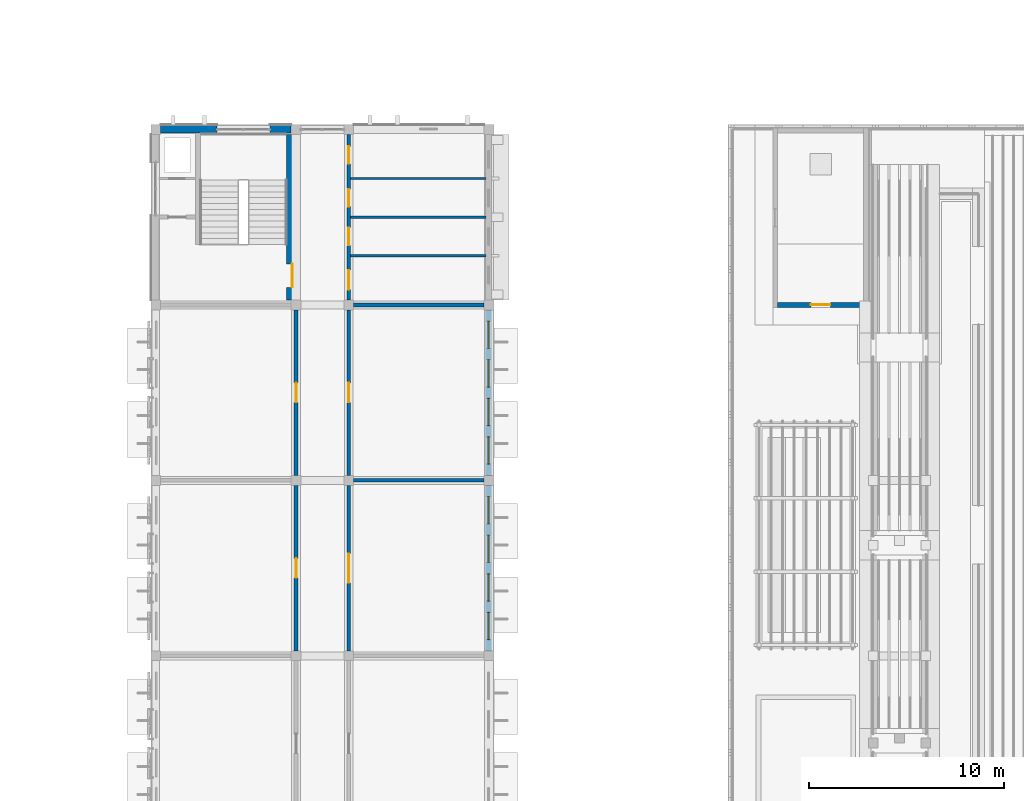
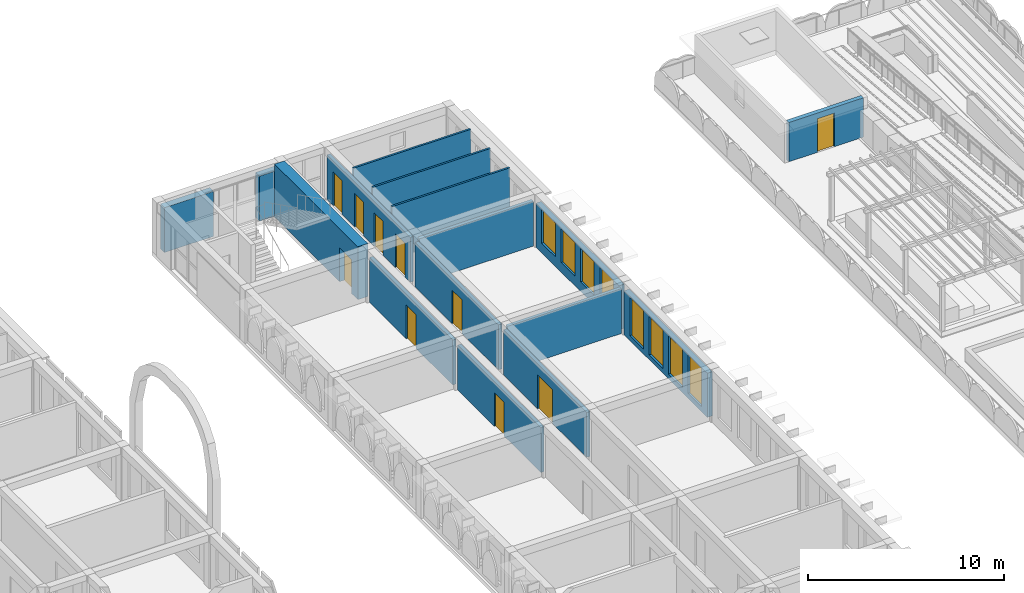
# One storey, part 43 of 65: 16 walls, 10 doors, 8 windows, 18 openings.
"""IFC4 building model written with IfcOpenShell, lengths in metres."""

import ifcopenshell
import ifcopenshell.guid

model = None  # the IFC model being written
_history = None  # IfcOwnerHistory: only IFC2X3 demands one
_inside = {}  # id of a spatial element -> (the spatial element, [elements in it])
_under = {}  # id of a project, library or spatial element -> (it, [spatial elements below it])
_declared = {}  # id of a project -> (the project, [libraries it declares])
_typed = {}  # id of a type object -> (the type object, [elements of that type])
_made_of = {}  # id of a material, layer set ... -> (it, [elements and type objects made of it])


def new_model(schema):
    """Start an empty IFC model of exactly this schema.

    Asked for "IFC4X3", IfcOpenShell would pick the latest addendum, in which some entities
    have other attributes; the version numbers below select the first issue.
    IFC2X3 requires an IfcOwnerHistory on every rooted entity: one is made here for all.
    """
    global model, _history
    if schema == "IFC4X3":
        model = ifcopenshell.file(schema_version=(4, 3, 0, 0))
    else:
        model = ifcopenshell.file(schema=schema)
    _inside.clear()
    _under.clear()
    _declared.clear()
    _typed.clear()
    _made_of.clear()
    _history = None
    if model.schema == "IFC2X3":
        org = make("IfcOrganization", Name="unknown")
        user = make(
            "IfcPersonAndOrganization",
            ThePerson=make("IfcPerson", FamilyName="unknown"),
            TheOrganization=org,
        )
        app = make(
            "IfcApplication",
            ApplicationDeveloper=org,
            Version="unknown",
            ApplicationFullName="unknown",
            ApplicationIdentifier="unknown",
        )
        _history = make(
            "IfcOwnerHistory",
            OwningUser=user,
            OwningApplication=app,
            ChangeAction="ADDED",
            CreationDate=0,
        )
    return model


def make(cls, **values):
    """One entity of the class cls with the attributes given. An attribute that is None is left unset."""
    return model.create_entity(
        cls, **{name: value for name, value in values.items() if value is not None}
    )


def rooted(cls, **values):
    """An entity with a GlobalId (a new one), such as an element, a storey or a relation."""
    return make(cls, GlobalId=ifcopenshell.guid.new(), OwnerHistory=_history, **values)


def si_unit(unit_type, name, prefix=None):
    """IfcSIUnit, for example si_unit("LENGTHUNIT", "METRE", prefix="MILLI")."""
    return make("IfcSIUnit", UnitType=unit_type, Prefix=prefix, Name=name)


def assignment(units):
    """IfcUnitAssignment: the units of a project."""
    return None if units is None else make("IfcUnitAssignment", Units=units)


def point(xyz):
    """IfcCartesianPoint."""
    return None if xyz is None else make("IfcCartesianPoint", Coordinates=xyz)


def direction(xyz):
    """IfcDirection."""
    return None if xyz is None else make("IfcDirection", DirectionRatios=xyz)


def frame(location, z_axis=None, x_axis=None):
    """IfcAxis2Placement3D, a coordinate frame: its origin and axes. An axis left out is left unset."""
    return make(
        "IfcAxis2Placement3D",
        Location=point(location),
        Axis=direction(z_axis),
        RefDirection=direction(x_axis),
    )


def frame_2d(location, x_axis=None):
    """IfcAxis2Placement2D, a coordinate frame in the plane: its origin and x axis."""
    return make(
        "IfcAxis2Placement2D", Location=point(location), RefDirection=direction(x_axis)
    )


def origin():
    """The frame at (0, 0, 0) with its axes left unset."""
    return frame((0.0, 0.0, 0.0))


def place(relative_to, where):
    """IfcLocalPlacement: puts the frame where relative to a parent placement (None: the world)."""
    return make(
        "IfcLocalPlacement", PlacementRelTo=relative_to, RelativePlacement=where
    )


def context(
    kind, dimensions, precision=None, world=None, true_north=None, identifier=None
):
    """IfcGeometricRepresentationContext, for example the 3D "Model" context."""
    return make(
        "IfcGeometricRepresentationContext",
        ContextIdentifier=identifier,
        ContextType=kind,
        CoordinateSpaceDimension=dimensions,
        Precision=precision,
        WorldCoordinateSystem=world,
        TrueNorth=true_north,
    )


def subcontext(parent, identifier, kind, view, scale=None):
    """IfcGeometricRepresentationSubContext, for example "Body" below "Model"."""
    return make(
        "IfcGeometricRepresentationSubContext",
        ContextIdentifier=identifier,
        ContextType=kind,
        ParentContext=parent,
        TargetScale=scale,
        TargetView=view,
    )


def project(units=None, contexts=None):
    """IfcProject with its units and contexts."""
    return rooted(
        "IfcProject",
        Name="project",
        RepresentationContexts=contexts,
        UnitsInContext=assignment(units),
    )


def spatial(cls, under=None, at=None, **own):
    """A site, building, storey or space (cls), placed at a placement, below another one or the project."""
    s = rooted(cls, ObjectPlacement=at, **own)
    if under is not None:
        _under.setdefault(under.id(), (under, []))[1].append(s)
    return s


def profile(cls, at=None, kind="AREA", **sizes):
    """A parametric profile (cls). Its sizes go by their IFC names, for example OverallWidth=200.0."""
    return make(cls, ProfileType=kind, Position=at, **sizes)


def rectangle(**sizes):
    """IfcRectangleProfileDef."""
    return profile("IfcRectangleProfileDef", **sizes)


def extrude(swept, where, along, depth):
    """IfcExtrudedAreaSolid: the profile swept, set in the frame where, extruded along a direction by depth."""
    return make(
        "IfcExtrudedAreaSolid",
        SweptArea=swept,
        Position=where,
        ExtrudedDirection=direction(along),
        Depth=depth,
    )


def shape(context_of_items, identifier, shape_type, items):
    """IfcShapeRepresentation: the items that make up one representation, for example the "Body"."""
    return make(
        "IfcShapeRepresentation",
        ContextOfItems=context_of_items,
        RepresentationIdentifier=identifier,
        RepresentationType=shape_type,
        Items=items,
    )


def material(Name=None, Category=None):
    """IfcMaterial."""
    return make("IfcMaterial", Name=Name, Category=Category)


def layer(
    of_material, thickness, ventilated=None, Name=None, Category=None, Priority=None
):
    """IfcMaterialLayer: one layer of a wall or slab, of a material (None: an air gap)."""
    return make(
        "IfcMaterialLayer",
        Material=of_material,
        LayerThickness=thickness,
        IsVentilated=ventilated,
        Name=Name,
        Category=Category,
        Priority=Priority,
    )


def layer_set(layers, Name=None):
    """IfcMaterialLayerSet."""
    return make("IfcMaterialLayerSet", MaterialLayers=layers, LayerSetName=Name)


def made_of(thing, what):
    """Note that an element or type object is made of a material, layer set ...; save() writes the relation."""
    if what is not None:
        _made_of.setdefault(what.id(), (what, []))[1].append(thing)
    return thing


def type_object(cls, material=None, **own):
    """A type object (cls), such as IfcWallType, which elements share."""
    return made_of(rooted(cls, **own), material)


def element(
    cls,
    number,
    at=None,
    inside=None,
    cuts=None,
    type_object=None,
    material=None,
    context=None,
    identifier="Body",
    shape_type=None,
    held_by="IfcProductDefinitionShape",
    body=None,
    shapes=None,
    **own,
):
    """One element of the class cls, such as IfcWall. Its Tag is "e" and its number.

    at: its placement. inside: the storey or other place that contains it. cuts: it is an
    opening in that element (IfcRelVoidsElement). A single representation is given by context,
    identifier, shape_type and body (its items); several are given by shapes. held_by: the class
    of the entity that holds the representations. save() writes the other relations.
    """
    e = rooted(cls, Tag="e%d" % number, ObjectPlacement=at, **own)
    if body is not None:
        shapes = [shape(context, identifier, shape_type, body)]
    if shapes is not None:
        e.Representation = make(held_by, Representations=shapes)
    if inside is not None:
        _inside.setdefault(inside.id(), (inside, []))[1].append(e)
    if cuts is not None:
        rooted(
            "IfcRelVoidsElement", RelatingBuildingElement=cuts, RelatedOpeningElement=e
        )
    if type_object is not None:
        _typed.setdefault(type_object.id(), (type_object, []))[1].append(e)
    return made_of(e, material)


def fill(opening, filler):
    """IfcRelFillsElement: the door or window that sits in an opening."""
    return rooted(
        "IfcRelFillsElement",
        RelatingOpeningElement=opening,
        RelatedBuildingElement=filler,
    )


def aggregate(whole, parts):
    """IfcRelAggregates: a whole, such as a stair, and the parts it consists of."""
    return rooted("IfcRelAggregates", RelatingObject=whole, RelatedObjects=parts)


def save(model, path):
    """Write the relations noted so far, then the file.

    IfcRelAggregates (storeys below a building ...), IfcRelContainedInSpatialStructure (elements
    in a storey), IfcRelDefinesByType, IfcRelAssociatesMaterial and IfcRelDeclares: one each for
    every whole, place, type object, material and project.
    """
    for whole, parts in _under.values():
        aggregate(whole, parts)
    for where, things in _inside.values():
        rooted(
            "IfcRelContainedInSpatialStructure",
            RelatedElements=things,
            RelatingStructure=where,
        )
    for kind, things in _typed.values():
        rooted("IfcRelDefinesByType", RelatedObjects=things, RelatingType=kind)
    for what, things in _made_of.values():
        rooted("IfcRelAssociatesMaterial", RelatedObjects=things, RelatingMaterial=what)
    for by, libraries in _declared.values():
        rooted("IfcRelDeclares", RelatingContext=by, RelatedDefinitions=libraries)
    model.write(path)


model = new_model("IFC4")

# Units and contexts
model_context = context("Model", 3, precision=1e-05, world=origin(), true_north=direction((0.0, 1.0)))
body_context = subcontext(model_context, "Body", "Model", "MODEL_VIEW")
ifc_project = project(units=[si_unit("LENGTHUNIT", "METRE"), si_unit("AREAUNIT", "SQUARE_METRE"), si_unit("VOLUMEUNIT", "CUBIC_METRE"), si_unit("PLANEANGLEUNIT", "RADIAN"), si_unit("MASSUNIT", "GRAM", prefix="KILO")], contexts=[model_context])

# Site, building, storey
site_placement = place(None, origin())
site = spatial("IfcSite", under=ifc_project, at=site_placement, CompositionType="ELEMENT")
building_placement = place(site_placement, origin())
building = spatial("IfcBuilding", under=site, at=building_placement, Name="Elbe Cascade School", CompositionType="ELEMENT")
storey_placement = place(building_placement, frame((0.0, 0.0, 11.699951171875)))
storey = spatial("IfcBuildingStorey", under=building, at=storey_placement, Name="L03", CompositionType="ELEMENT", Elevation=11.699951171875)

# Wall
ifc_material_1 = material(Name="Masonry - lime-sand block, plastered", Category="masonry")
ifc_layer_1 = layer(ifc_material_1, 0.175048828125)
ifc_layer_set_1 = layer_set([ifc_layer_1], Name="Masonry - lime-sand block, plastered")
wall_type_1 = type_object("IfcWallType", Name="Bar classroom partition wall lime-sand block 175", PredefinedType="PARTITIONING", material=ifc_layer_set_1)
wall_1_placement = place(storey_placement, frame((108.75, 42.0, 0.0), z_axis=(0.0, 0.0, 1.0), x_axis=(1.0, 0.0, 0.0)))
element("IfcWall", 1, at=wall_1_placement, inside=storey, type_object=wall_type_1, Name="Bar classroom partition wall lime-sand block 175", PredefinedType="PARTITIONING", context=body_context, shape_type="SweptSolid", body=[
    extrude(rectangle(XDim=6.699951171875, YDim=0.175048828125, at=frame_2d((3.35009765625, 0.0))), origin(), (0.0, 0.0, 1.0), 2.800048828125),
])

# Wall, openings, doors
ifc_material_2 = material(Name="Masonry - lime-sand block, plastered", Category="masonry")
ifc_layer_2 = layer(ifc_material_2, 0.199951171875)
ifc_layer_set_2 = layer_set([ifc_layer_2], Name="Masonry - lime-sand block, plastered")
wall_type_2 = type_object("IfcWallType", Name="Bar corridor wall lime-sand block 200 EI 30", PredefinedType="PARTITIONING", material=ifc_layer_set_2)
wall_2_placement = place(storey_placement, frame((108.5, 59.75, 0.0), z_axis=(0.0, 0.0, 1.0), x_axis=(0.0, -1.0, 0.0)))
wall_2 = element("IfcWall", 2, at=wall_2_placement, inside=storey, type_object=wall_type_2, Name="Bar corridor wall lime-sand block 200 EI 30", PredefinedType="PARTITIONING", context=body_context, shape_type="SweptSolid", body=[
    extrude(rectangle(XDim=8.5, YDim=0.199951171875, at=frame_2d((4.25, 0.0))), origin(), (0.0, 0.0, 1.0), 2.800048828125),
])
opening_1_placement = place(wall_2_placement, frame((6.96875, 0.0, 0.0)))
opening_1 = element("IfcOpeningElement", 3, at=opening_1_placement, cuts=wall_2, Name="Opening D3.048", PredefinedType="OPENING", context=body_context, shape_type="SweptSolid", body=[
    extrude(rectangle(XDim=1.0, YDim=2.10009765625, at=frame_2d((0.5, 1.050048828125))), frame((0.0, 0.10986328125, 0.0), z_axis=(0.0, -1.0, 0.0), x_axis=(1.0, 0.0, 0.0)), (0.0, 0.0, 1.0), 0.219970703125),
])
opening_2_placement = place(wall_2_placement, frame((4.7900390625, 0.0, 0.0)))
opening_2 = element("IfcOpeningElement", 4, at=opening_2_placement, cuts=wall_2, Name="Opening D3.050", PredefinedType="OPENING", context=body_context, shape_type="SweptSolid", body=[
    extrude(rectangle(XDim=0.89990234375, YDim=2.10009765625, at=frame_2d((0.449951171875, 1.050048828125))), frame((0.0, 0.10986328125, 0.0), z_axis=(0.0, -1.0, 0.0), x_axis=(1.0, 0.0, 0.0)), (0.0, 0.0, 1.0), 0.219970703125),
])
opening_3_placement = place(wall_2_placement, frame((2.81005859375, 0.0, 0.0)))
opening_3 = element("IfcOpeningElement", 5, at=opening_3_placement, cuts=wall_2, Name="Opening D3.052", PredefinedType="OPENING", context=body_context, shape_type="SweptSolid", body=[
    extrude(rectangle(XDim=0.89990234375, YDim=2.10009765625, at=frame_2d((0.449951171875, 1.050048828125))), frame((0.0, 0.10986328125, 0.0), z_axis=(0.0, -1.0, 0.0), x_axis=(1.0, 0.0, 0.0)), (0.0, 0.0, 1.0), 0.219970703125),
])
opening_4_placement = place(wall_2_placement, frame((0.62109375, 0.0, 0.0)))
opening_4 = element("IfcOpeningElement", 6, at=opening_4_placement, cuts=wall_2, Name="Opening D3.054", PredefinedType="OPENING", context=body_context, shape_type="SweptSolid", body=[
    extrude(rectangle(XDim=0.89990234375, YDim=2.10009765625, at=frame_2d((0.449951171875, 1.050048828125))), frame((0.0, 0.10986328125, 0.0), z_axis=(0.0, -1.0, 0.0), x_axis=(1.0, 0.0, 0.0)), (0.0, 0.0, 1.0), 0.219970703125),
])
ifc_material_3 = material(Name="Timber door leaf, fire-resisting, steel frame", Category="steel")
door_type_1 = type_object("IfcDoorType", Name="Bar door FD30 1000x2100", OperationType="NOTDEFINED", PredefinedType="DOOR", material=ifc_material_3)
door_1_placement = place(opening_1_placement, origin())
door_1 = element("IfcDoor", 7, at=door_1_placement, inside=storey, type_object=door_type_1, Name="Door B3.18", OperationType="SINGLE_SWING_LEFT", OverallHeight=2.10009765625, OverallWidth=1.0, PredefinedType="DOOR", context=body_context, shape_type="SweptSolid", body=[
    extrude(rectangle(XDim=1.0, YDim=2.10009765625, at=frame_2d((0.5, 1.050048828125))), frame((0.0, 0.02490234375, 0.0), z_axis=(0.0, -1.0, 0.0), x_axis=(1.0, 0.0, 0.0)), (0.0, 0.0, 1.0), 0.050048828125),
])
fill(opening_1, door_1)
ifc_material_4 = material(Name="Timber door leaf, fire-resisting, steel frame", Category="steel")
door_type_2 = type_object("IfcDoorType", Name="Bar door FD30 900x2100", OperationType="NOTDEFINED", PredefinedType="DOOR", material=ifc_material_4)
door_2_placement = place(opening_2_placement, origin())
door_2 = element("IfcDoor", 8, at=door_2_placement, inside=storey, type_object=door_type_2, Name="Door B3.17", OperationType="SINGLE_SWING_RIGHT", OverallHeight=2.10009765625, OverallWidth=0.89990234375, PredefinedType="DOOR", context=body_context, shape_type="SweptSolid", body=[
    extrude(rectangle(XDim=0.89990234375, YDim=2.10009765625, at=frame_2d((0.449951171875, 1.050048828125))), frame((0.0, 0.02490234375, 0.0), z_axis=(0.0, -1.0, 0.0), x_axis=(1.0, 0.0, 0.0)), (0.0, 0.0, 1.0), 0.050048828125),
])
fill(opening_2, door_2)
door_3_placement = place(opening_3_placement, origin())
door_3 = element("IfcDoor", 9, at=door_3_placement, inside=storey, type_object=door_type_2, Name="Door B3.16", OperationType="SINGLE_SWING_LEFT", OverallHeight=2.10009765625, OverallWidth=0.89990234375, PredefinedType="DOOR", context=body_context, shape_type="SweptSolid", body=[
    extrude(rectangle(XDim=0.89990234375, YDim=2.10009765625, at=frame_2d((0.449951171875, 1.050048828125))), frame((0.0, 0.02490234375, 0.0), z_axis=(0.0, -1.0, 0.0), x_axis=(1.0, 0.0, 0.0)), (0.0, 0.0, 1.0), 0.050048828125),
])
fill(opening_3, door_3)
door_4_placement = place(opening_4_placement, origin())
door_4 = element("IfcDoor", 10, at=door_4_placement, inside=storey, type_object=door_type_2, Name="Door B3.15", OperationType="SINGLE_SWING_RIGHT", OverallHeight=2.10009765625, OverallWidth=0.89990234375, PredefinedType="DOOR", context=body_context, shape_type="SweptSolid", body=[
    extrude(rectangle(XDim=0.89990234375, YDim=2.10009765625, at=frame_2d((0.449951171875, 1.050048828125))), frame((0.0, 0.02490234375, 0.0), z_axis=(0.0, -1.0, 0.0), x_axis=(1.0, 0.0, 0.0)), (0.0, 0.0, 1.0), 0.050048828125),
])
fill(opening_4, door_4)

# Wall, opening, door
wall_3_placement = place(storey_placement, frame((105.800048828125, 33.25, 0.0), z_axis=(0.0, 0.0, 1.0), x_axis=(0.0, 1.0, 0.0)))
wall_3 = element("IfcWall", 11, at=wall_3_placement, inside=storey, type_object=wall_type_2, Name="Bar corridor wall lime-sand block 200 EI 30", PredefinedType="PARTITIONING", context=body_context, shape_type="SweptSolid", body=[
    extrude(rectangle(XDim=8.5, YDim=0.199951171875, at=frame_2d((4.25, 0.0))), origin(), (0.0, 0.0, 1.0), 2.800048828125),
])
opening_5_placement = place(wall_3_placement, frame((3.75, 0.0, 0.0)))
opening_5 = element("IfcOpeningElement", 12, at=opening_5_placement, cuts=wall_3, Name="Opening D3.044", PredefinedType="OPENING", context=body_context, shape_type="SweptSolid", body=[
    extrude(rectangle(XDim=1.0, YDim=2.10009765625, at=frame_2d((0.5, 1.050048828125))), frame((0.0, 0.10986328125, 0.0), z_axis=(0.0, -1.0, 0.0), x_axis=(1.0, 0.0, 0.0)), (0.0, 0.0, 1.0), 0.219970703125),
])
door_5_placement = place(opening_5_placement, origin())
door_5 = element("IfcDoor", 13, at=door_5_placement, inside=storey, type_object=door_type_1, Name="Door B3.22", OperationType="SINGLE_SWING_LEFT", OverallHeight=2.10009765625, OverallWidth=1.0, PredefinedType="DOOR", context=body_context, shape_type="SweptSolid", body=[
    extrude(rectangle(XDim=1.0, YDim=2.10009765625, at=frame_2d((0.5, 1.050048828125))), frame((0.0, 0.02490234375, 0.0), z_axis=(0.0, -1.0, 0.0), x_axis=(1.0, 0.0, 0.0)), (0.0, 0.0, 1.0), 0.050048828125),
])
fill(opening_5, door_5)

wall_4_placement = place(storey_placement, frame((105.800048828125, 42.25, 0.0), z_axis=(0.0, 0.0, 1.0), x_axis=(0.0, 1.0, 0.0)))
wall_4 = element("IfcWall", 14, at=wall_4_placement, inside=storey, type_object=wall_type_2, Name="Bar corridor wall lime-sand block 200 EI 30", PredefinedType="PARTITIONING", context=body_context, shape_type="SweptSolid", body=[
    extrude(rectangle(XDim=8.5, YDim=0.199951171875, at=frame_2d((4.25, 0.0))), origin(), (0.0, 0.0, 1.0), 2.800048828125),
])
opening_6_placement = place(wall_4_placement, frame((3.75, 0.0, 0.0)))
opening_6 = element("IfcOpeningElement", 15, at=opening_6_placement, cuts=wall_4, Name="Opening D3.046", PredefinedType="OPENING", context=body_context, shape_type="SweptSolid", body=[
    extrude(rectangle(XDim=1.0, YDim=2.10009765625, at=frame_2d((0.5, 1.050048828125))), frame((0.0, 0.10986328125, 0.0), z_axis=(0.0, -1.0, 0.0), x_axis=(1.0, 0.0, 0.0)), (0.0, 0.0, 1.0), 0.219970703125),
])
door_6_placement = place(opening_6_placement, origin())
door_6 = element("IfcDoor", 16, at=door_6_placement, inside=storey, type_object=door_type_1, Name="Door B3.23", OperationType="SINGLE_SWING_RIGHT", OverallHeight=2.10009765625, OverallWidth=1.0, PredefinedType="DOOR", context=body_context, shape_type="SweptSolid", body=[
    extrude(rectangle(XDim=1.0, YDim=2.10009765625, at=frame_2d((0.5, 1.050048828125))), frame((0.0, 0.02490234375, 0.0), z_axis=(0.0, -1.0, 0.0), x_axis=(1.0, 0.0, 0.0)), (0.0, 0.0, 1.0), 0.050048828125),
])
fill(opening_6, door_6)

wall_5_placement = place(storey_placement, frame((108.5, 41.75, 0.0), z_axis=(0.0, 0.0, 1.0), x_axis=(0.0, -1.0, 0.0)))
wall_5 = element("IfcWall", 17, at=wall_5_placement, inside=storey, type_object=wall_type_2, Name="Bar corridor wall lime-sand block 200 EI 30", PredefinedType="PARTITIONING", context=body_context, shape_type="SweptSolid", body=[
    extrude(rectangle(XDim=8.5, YDim=0.199951171875, at=frame_2d((4.25, 0.0))), origin(), (0.0, 0.0, 1.0), 2.800048828125),
])
opening_7_placement = place(wall_5_placement, frame((3.5, 0.0, 0.0)))
opening_7 = element("IfcOpeningElement", 18, at=opening_7_placement, cuts=wall_5, Name="Opening D3.045", PredefinedType="OPENING", context=body_context, shape_type="SweptSolid", body=[
    extrude(rectangle(XDim=1.5, YDim=2.10009765625, at=frame_2d((0.75, 1.050048828125))), frame((0.0, 0.10986328125, 0.0), z_axis=(0.0, -1.0, 0.0), x_axis=(1.0, 0.0, 0.0)), (0.0, 0.0, 1.0), 0.219970703125),
])
ifc_material_5 = material(Name="Timber door leaves, fire-resisting, steel frame", Category="steel")
door_type_3 = type_object("IfcDoorType", Name="Bar door FD30 1500x2100", OperationType="NOTDEFINED", PredefinedType="DOOR", material=ifc_material_5)
door_7_placement = place(opening_7_placement, origin())
door_7 = element("IfcDoor", 19, at=door_7_placement, inside=storey, type_object=door_type_3, Name="Door B3.27", OperationType="DOUBLE_DOOR_SINGLE_SWING", OverallHeight=2.10009765625, OverallWidth=1.5, PredefinedType="DOOR", context=body_context, shape_type="SweptSolid", body=[
    extrude(rectangle(XDim=1.5, YDim=2.10009765625, at=frame_2d((0.75, 1.050048828125))), frame((0.0, 0.02490234375, 0.0), z_axis=(0.0, -1.0, 0.0), x_axis=(1.0, 0.0, 0.0)), (0.0, 0.0, 1.0), 0.050048828125),
])
fill(opening_7, door_7)

wall_6_placement = place(storey_placement, frame((108.5, 50.75, 0.0), z_axis=(0.0, 0.0, 1.0), x_axis=(0.0, -1.0, 0.0)))
wall_6 = element("IfcWall", 20, at=wall_6_placement, inside=storey, type_object=wall_type_2, Name="Bar corridor wall lime-sand block 200 EI 30", PredefinedType="PARTITIONING", context=body_context, shape_type="SweptSolid", body=[
    extrude(rectangle(XDim=8.5, YDim=0.199951171875, at=frame_2d((4.25, 0.0))), origin(), (0.0, 0.0, 1.0), 2.800048828125),
])
opening_8_placement = place(wall_6_placement, frame((3.75, 0.0, 0.0)))
opening_8 = element("IfcOpeningElement", 21, at=opening_8_placement, cuts=wall_6, Name="Opening D3.047", PredefinedType="OPENING", context=body_context, shape_type="SweptSolid", body=[
    extrude(rectangle(XDim=1.0, YDim=2.10009765625, at=frame_2d((0.5, 1.050048828125))), frame((0.0, 0.10986328125, 0.0), z_axis=(0.0, -1.0, 0.0), x_axis=(1.0, 0.0, 0.0)), (0.0, 0.0, 1.0), 0.219970703125),
])
door_8_placement = place(opening_8_placement, origin())
door_8 = element("IfcDoor", 22, at=door_8_placement, inside=storey, type_object=door_type_1, Name="Door B3.28", OperationType="SINGLE_SWING_LEFT", OverallHeight=2.10009765625, OverallWidth=1.0, PredefinedType="DOOR", context=body_context, shape_type="SweptSolid", body=[
    extrude(rectangle(XDim=1.0, YDim=2.10009765625, at=frame_2d((0.5, 1.050048828125))), frame((0.0, 0.02490234375, 0.0), z_axis=(0.0, -1.0, 0.0), x_axis=(1.0, 0.0, 0.0)), (0.0, 0.0, 1.0), 0.050048828125),
])
fill(opening_8, door_8)

# Walls
ifc_material_6 = material(Name="Masonry - lime-sand block, plastered", Category="masonry")
ifc_layer_3 = layer(ifc_material_6, 0.114990234375)
ifc_layer_set_3 = layer_set([ifc_layer_3], Name="Masonry - lime-sand block, plastered")
wall_type_3 = type_object("IfcWallType", Name="Bar light partition wall lime-sand block 115", PredefinedType="PARTITIONING", material=ifc_layer_set_3)
for number, where, z_axis, x_axis, name in (
    (23, (108.60009765625, 57.47998046875, 0.0), (0.0, 0.0, 1.0), (1.0, 0.0, 0.0), "Bar light partition wall lime-sand block 115"),
    (24, (108.60009765625, 55.5, 0.0), (0.0, 0.0, 1.0), (1.0, 0.0, 0.0), "Bar light partition wall lime-sand block 115"),
    (25, (108.60009765625, 53.52001953125, 0.0), (0.0, 0.0, 1.0), (1.0, 0.0, 0.0), "Bar light partition wall lime-sand block 115"),
):
    element("IfcWall", number, at=place(storey_placement, frame(where, z_axis=z_axis, x_axis=x_axis)), inside=storey, type_object=wall_type_3, Name=name, PredefinedType="PARTITIONING", context=body_context, shape_type="SweptSolid", body=[
        extrude(rectangle(XDim=6.949951171875, YDim=0.114990234375, at=frame_2d((3.47509765625, 0.0))), origin(), (0.0, 0.0, 1.0), 3.300048828125),
    ])
ifc_material_7 = material(Name="Masonry - lime-sand block, plastered", Category="masonry")
ifc_layer_4 = layer(ifc_material_7, 0.199951171875)
ifc_layer_set_4 = layer_set([ifc_layer_4], Name="Masonry - lime-sand block, plastered")
wall_type_4 = type_object("IfcWallType", Name="Bar partition wall lime-sand block 200", PredefinedType="PARTITIONING", material=ifc_layer_set_4)
wall_7_placement = place(storey_placement, frame((108.75, 51.0, 0.0), z_axis=(0.0, 0.0, 1.0), x_axis=(1.0, 0.0, 0.0)))
element("IfcWall", 26, at=wall_7_placement, inside=storey, type_object=wall_type_4, Name="Bar partition wall lime-sand block 200", PredefinedType="PARTITIONING", context=body_context, shape_type="SweptSolid", body=[
    extrude(rectangle(XDim=6.699951171875, YDim=0.199951171875, at=frame_2d((3.35009765625, 0.0))), origin(), (0.0, 0.0, 1.0), 2.800048828125),
])

# Wall, opening, door
ifc_material_8 = material(Name="Concrete C30/37", Category="concrete")
ifc_layer_5 = layer(ifc_material_8, 0.60009765625)
ifc_layer_set_5 = layer_set([ifc_layer_5], Name="Concrete C30/37")
wall_type_5 = type_object("IfcWallType", Name="Bar stair core wall RC 600", PredefinedType="SOLIDWALL", material=ifc_layer_set_5)
wall_8_placement = place(storey_placement, frame((105.60009765625, 51.25, 0.0), z_axis=(0.0, 0.0, 1.0), x_axis=(0.0, 1.0, 0.0)))
wall_8 = element("IfcWall", 27, at=wall_8_placement, inside=storey, type_object=wall_type_5, Name="Bar stair core wall RC 600", PredefinedType="SOLIDWALL", context=body_context, shape_type="SweptSolid", body=[
    extrude(rectangle(XDim=8.5, YDim=0.60009765625, at=frame_2d((4.25, 0.0))), origin(), (0.0, 0.0, 1.0), 3.300048828125),
])
opening_9_placement = place(wall_8_placement, frame((0.64990234375, 0.0, 0.0)))
opening_9 = element("IfcOpeningElement", 28, at=opening_9_placement, cuts=wall_8, Name="Opening D3.049", PredefinedType="OPENING", context=body_context, shape_type="SweptSolid", body=[
    extrude(rectangle(XDim=1.199951171875, YDim=2.10009765625, at=frame_2d((0.60009765625, 1.050048828125))), frame((0.0, 0.31005859375, 0.0), z_axis=(0.0, -1.0, 0.0), x_axis=(1.0, 0.0, 0.0)), (0.0, 0.0, 1.0), 0.6201171875),
])
ifc_material_9 = material(Name="Timber door leaf, fire-resisting and smoke-tight, steel frame", Category="steel")
door_type_4 = type_object("IfcDoorType", Name="Bar door FD30S 1200x2100", OperationType="NOTDEFINED", PredefinedType="DOOR", material=ifc_material_9)
door_9_placement = place(opening_9_placement, origin())
door_9 = element("IfcDoor", 29, at=door_9_placement, inside=storey, type_object=door_type_4, Name="Door B3.12", OperationType="SINGLE_SWING_RIGHT", OverallHeight=2.10009765625, OverallWidth=1.199951171875, PredefinedType="DOOR", context=body_context, shape_type="SweptSolid", body=[
    extrude(rectangle(XDim=1.199951171875, YDim=2.10009765625, at=frame_2d((0.60009765625, 1.050048828125))), frame((0.0, 0.02490234375, 0.0), z_axis=(0.0, -1.0, 0.0), x_axis=(1.0, 0.0, 0.0)), (0.0, 0.0, 1.0), 0.050048828125),
])
fill(opening_9, door_9)

# Wall, openings, windows
ifc_material_10 = material(Name="Brick masonry - red clinker, cavity wall with render backing", Category="masonry")
ifc_layer_6 = layer(ifc_material_10, 0.300048828125)
ifc_layer_set_6 = layer_set([ifc_layer_6], Name="Brick masonry - red clinker, cavity wall with render backing")
wall_type_6 = type_object("IfcWallType", Name="Bars envelope External wall - clinker brick cavity, 300 upper floors", PredefinedType="STANDARD", material=ifc_layer_set_6)
wall_9_placement = place(storey_placement, frame((115.669921875, 41.75, 0.0), z_axis=(0.0, 0.0, 1.0), x_axis=(0.0, -1.0, 0.0)))
wall_9 = element("IfcWall", 30, at=wall_9_placement, inside=storey, type_object=wall_type_6, Name="External wall W30 B.L03.e4", PredefinedType="STANDARD", context=body_context, shape_type="SweptSolid", body=[
    extrude(rectangle(XDim=8.5, YDim=0.300048828125, at=frame_2d((4.25, 0.0))), origin(), (0.0, 0.0, 1.0), 2.75),
])
opening_10_placement = place(wall_9_placement, frame((6.52001953125, 0.0, 0.300048828125)))
opening_10 = element("IfcOpeningElement", 31, at=opening_10_placement, cuts=wall_9, Name="Opening W3.059", PredefinedType="OPENING", context=body_context, shape_type="SweptSolid", body=[
    extrude(rectangle(XDim=1.39990234375, YDim=2.39990234375, at=frame_2d((0.699951171875, 1.199951171875))), frame((0.0, 0.159912109375, 0.0), z_axis=(0.0, -1.0, 0.0), x_axis=(1.0, 0.0, 0.0)), (0.0, 0.0, 1.0), 0.320068359375),
])
opening_11_placement = place(wall_9_placement, frame((4.5400390625, 0.0, 0.300048828125)))
opening_11 = element("IfcOpeningElement", 32, at=opening_11_placement, cuts=wall_9, Name="Opening W3.061", PredefinedType="OPENING", context=body_context, shape_type="SweptSolid", body=[
    extrude(rectangle(XDim=1.39990234375, YDim=2.39990234375, at=frame_2d((0.699951171875, 1.199951171875))), frame((0.0, 0.159912109375, 0.0), z_axis=(0.0, -1.0, 0.0), x_axis=(1.0, 0.0, 0.0)), (0.0, 0.0, 1.0), 0.320068359375),
])
opening_12_placement = place(wall_9_placement, frame((2.56005859375, 0.0, 0.300048828125)))
opening_12 = element("IfcOpeningElement", 33, at=opening_12_placement, cuts=wall_9, Name="Opening W3.063", PredefinedType="OPENING", context=body_context, shape_type="SweptSolid", body=[
    extrude(rectangle(XDim=1.39990234375, YDim=2.39990234375, at=frame_2d((0.699951171875, 1.199951171875))), frame((0.0, 0.159912109375, 0.0), z_axis=(0.0, -1.0, 0.0), x_axis=(1.0, 0.0, 0.0)), (0.0, 0.0, 1.0), 0.320068359375),
])
opening_13_placement = place(wall_9_placement, frame((0.580078125, 0.0, 0.300048828125)))
opening_13 = element("IfcOpeningElement", 34, at=opening_13_placement, cuts=wall_9, Name="Opening W3.065", PredefinedType="OPENING", context=body_context, shape_type="SweptSolid", body=[
    extrude(rectangle(XDim=1.39990234375, YDim=2.39990234375, at=frame_2d((0.699951171875, 1.199951171875))), frame((0.0, 0.159912109375, 0.0), z_axis=(0.0, -1.0, 0.0), x_axis=(1.0, 0.0, 0.0)), (0.0, 0.0, 1.0), 0.320068359375),
])
ifc_material_11 = material(Name="Aluminium frame with double glazing, bronze anodised", Category="aluminium")
window_type_1 = type_object("IfcWindowType", Name="Bars envelope Window 1400 x 2400, library reading, tall, aluminium double glazed", PartitioningType="DOUBLE_PANEL_VERTICAL", PredefinedType="WINDOW", material=ifc_material_11)
window_1_placement = place(opening_10_placement, origin())
window_1 = element("IfcWindow", 35, at=window_1_placement, inside=storey, type_object=window_type_1, Name="Window WN13 B.L03.e4.1", OverallHeight=2.39990234375, OverallWidth=1.39990234375, PartitioningType="DOUBLE_PANEL_VERTICAL", PredefinedType="WINDOW", context=body_context, shape_type="SweptSolid", body=[
    extrude(rectangle(XDim=1.39990234375, YDim=2.39990234375, at=frame_2d((0.699951171875, 1.199951171875))), frame((0.0, 0.030029296875, 0.0), z_axis=(0.0, -1.0, 0.0), x_axis=(1.0, 0.0, 0.0)), (0.0, 0.0, 1.0), 0.06005859375),
])
fill(opening_10, window_1)
window_2_placement = place(opening_11_placement, origin())
window_2 = element("IfcWindow", 36, at=window_2_placement, inside=storey, type_object=window_type_1, Name="Window WN13 B.L03.e4.2", OverallHeight=2.39990234375, OverallWidth=1.39990234375, PartitioningType="DOUBLE_PANEL_VERTICAL", PredefinedType="WINDOW", context=body_context, shape_type="SweptSolid", body=[
    extrude(rectangle(XDim=1.39990234375, YDim=2.39990234375, at=frame_2d((0.699951171875, 1.199951171875))), frame((0.0, 0.030029296875, 0.0), z_axis=(0.0, -1.0, 0.0), x_axis=(1.0, 0.0, 0.0)), (0.0, 0.0, 1.0), 0.06005859375),
])
fill(opening_11, window_2)
window_3_placement = place(opening_12_placement, origin())
window_3 = element("IfcWindow", 37, at=window_3_placement, inside=storey, type_object=window_type_1, Name="Window WN13 B.L03.e4.3", OverallHeight=2.39990234375, OverallWidth=1.39990234375, PartitioningType="DOUBLE_PANEL_VERTICAL", PredefinedType="WINDOW", context=body_context, shape_type="SweptSolid", body=[
    extrude(rectangle(XDim=1.39990234375, YDim=2.39990234375, at=frame_2d((0.699951171875, 1.199951171875))), frame((0.0, 0.030029296875, 0.0), z_axis=(0.0, -1.0, 0.0), x_axis=(1.0, 0.0, 0.0)), (0.0, 0.0, 1.0), 0.06005859375),
])
fill(opening_12, window_3)
window_4_placement = place(opening_13_placement, origin())
window_4 = element("IfcWindow", 38, at=window_4_placement, inside=storey, type_object=window_type_1, Name="Window WN13 B.L03.e4.4", OverallHeight=2.39990234375, OverallWidth=1.39990234375, PartitioningType="DOUBLE_PANEL_VERTICAL", PredefinedType="WINDOW", context=body_context, shape_type="SweptSolid", body=[
    extrude(rectangle(XDim=1.39990234375, YDim=2.39990234375, at=frame_2d((0.699951171875, 1.199951171875))), frame((0.0, 0.030029296875, 0.0), z_axis=(0.0, -1.0, 0.0), x_axis=(1.0, 0.0, 0.0)), (0.0, 0.0, 1.0), 0.06005859375),
])
fill(opening_13, window_4)

wall_10_placement = place(storey_placement, frame((115.669921875, 50.75, 0.0), z_axis=(0.0, 0.0, 1.0), x_axis=(0.0, -1.0, 0.0)))
wall_10 = element("IfcWall", 39, at=wall_10_placement, inside=storey, type_object=wall_type_6, Name="External wall W30 B.L03.e5", PredefinedType="STANDARD", context=body_context, shape_type="SweptSolid", body=[
    extrude(rectangle(XDim=8.5, YDim=0.300048828125, at=frame_2d((4.25, 0.0))), origin(), (0.0, 0.0, 1.0), 2.75),
])
opening_14_placement = place(wall_10_placement, frame((6.52001953125, 0.0, 0.60009765625)))
opening_14 = element("IfcOpeningElement", 40, at=opening_14_placement, cuts=wall_10, Name="Opening W3.067", PredefinedType="OPENING", context=body_context, shape_type="SweptSolid", body=[
    extrude(rectangle(XDim=1.39990234375, YDim=2.10009765625, at=frame_2d((0.699951171875, 1.050048828125))), frame((0.0, 0.159912109375, 0.0), z_axis=(0.0, -1.0, 0.0), x_axis=(1.0, 0.0, 0.0)), (0.0, 0.0, 1.0), 0.320068359375),
])
opening_15_placement = place(wall_10_placement, frame((4.5400390625, 0.0, 0.60009765625)))
opening_15 = element("IfcOpeningElement", 41, at=opening_15_placement, cuts=wall_10, Name="Opening W3.069", PredefinedType="OPENING", context=body_context, shape_type="SweptSolid", body=[
    extrude(rectangle(XDim=1.39990234375, YDim=2.10009765625, at=frame_2d((0.699951171875, 1.050048828125))), frame((0.0, 0.159912109375, 0.0), z_axis=(0.0, -1.0, 0.0), x_axis=(1.0, 0.0, 0.0)), (0.0, 0.0, 1.0), 0.320068359375),
])
opening_16_placement = place(wall_10_placement, frame((2.56005859375, 0.0, 0.60009765625)))
opening_16 = element("IfcOpeningElement", 42, at=opening_16_placement, cuts=wall_10, Name="Opening W3.071", PredefinedType="OPENING", context=body_context, shape_type="SweptSolid", body=[
    extrude(rectangle(XDim=1.39990234375, YDim=2.10009765625, at=frame_2d((0.699951171875, 1.050048828125))), frame((0.0, 0.159912109375, 0.0), z_axis=(0.0, -1.0, 0.0), x_axis=(1.0, 0.0, 0.0)), (0.0, 0.0, 1.0), 0.320068359375),
])
opening_17_placement = place(wall_10_placement, frame((0.580078125, 0.0, 0.60009765625)))
opening_17 = element("IfcOpeningElement", 43, at=opening_17_placement, cuts=wall_10, Name="Opening W3.073", PredefinedType="OPENING", context=body_context, shape_type="SweptSolid", body=[
    extrude(rectangle(XDim=1.39990234375, YDim=2.10009765625, at=frame_2d((0.699951171875, 1.050048828125))), frame((0.0, 0.159912109375, 0.0), z_axis=(0.0, -1.0, 0.0), x_axis=(1.0, 0.0, 0.0)), (0.0, 0.0, 1.0), 0.320068359375),
])
ifc_material_12 = material(Name="Aluminium frame with double glazing, bronze anodised", Category="aluminium")
window_type_2 = type_object("IfcWindowType", Name="Bars envelope Window 1400 x 2100, classroom, aluminium double glazed", PartitioningType="DOUBLE_PANEL_VERTICAL", PredefinedType="WINDOW", material=ifc_material_12)
window_5_placement = place(opening_14_placement, origin())
window_5 = element("IfcWindow", 44, at=window_5_placement, inside=storey, type_object=window_type_2, Name="Window WN8 B.L03.e5.1", OverallHeight=2.10009765625, OverallWidth=1.39990234375, PartitioningType="DOUBLE_PANEL_VERTICAL", PredefinedType="WINDOW", context=body_context, shape_type="SweptSolid", body=[
    extrude(rectangle(XDim=1.39990234375, YDim=2.10009765625, at=frame_2d((0.699951171875, 1.050048828125))), frame((0.0, 0.030029296875, 0.0), z_axis=(0.0, -1.0, 0.0), x_axis=(1.0, 0.0, 0.0)), (0.0, 0.0, 1.0), 0.06005859375),
])
fill(opening_14, window_5)
window_6_placement = place(opening_15_placement, origin())
window_6 = element("IfcWindow", 45, at=window_6_placement, inside=storey, type_object=window_type_2, Name="Window WN8 B.L03.e5.2", OverallHeight=2.10009765625, OverallWidth=1.39990234375, PartitioningType="DOUBLE_PANEL_VERTICAL", PredefinedType="WINDOW", context=body_context, shape_type="SweptSolid", body=[
    extrude(rectangle(XDim=1.39990234375, YDim=2.10009765625, at=frame_2d((0.699951171875, 1.050048828125))), frame((0.0, 0.030029296875, 0.0), z_axis=(0.0, -1.0, 0.0), x_axis=(1.0, 0.0, 0.0)), (0.0, 0.0, 1.0), 0.06005859375),
])
fill(opening_15, window_6)
window_7_placement = place(opening_16_placement, origin())
window_7 = element("IfcWindow", 46, at=window_7_placement, inside=storey, type_object=window_type_2, Name="Window WN8 B.L03.e5.3", OverallHeight=2.10009765625, OverallWidth=1.39990234375, PartitioningType="DOUBLE_PANEL_VERTICAL", PredefinedType="WINDOW", context=body_context, shape_type="SweptSolid", body=[
    extrude(rectangle(XDim=1.39990234375, YDim=2.10009765625, at=frame_2d((0.699951171875, 1.050048828125))), frame((0.0, 0.030029296875, 0.0), z_axis=(0.0, -1.0, 0.0), x_axis=(1.0, 0.0, 0.0)), (0.0, 0.0, 1.0), 0.06005859375),
])
fill(opening_16, window_7)
window_8_placement = place(opening_17_placement, origin())
window_8 = element("IfcWindow", 47, at=window_8_placement, inside=storey, type_object=window_type_2, Name="Window WN8 B.L03.e5.4", OverallHeight=2.10009765625, OverallWidth=1.39990234375, PartitioningType="DOUBLE_PANEL_VERTICAL", PredefinedType="WINDOW", context=body_context, shape_type="SweptSolid", body=[
    extrude(rectangle(XDim=1.39990234375, YDim=2.10009765625, at=frame_2d((0.699951171875, 1.050048828125))), frame((0.0, 0.030029296875, 0.0), z_axis=(0.0, -1.0, 0.0), x_axis=(1.0, 0.0, 0.0)), (0.0, 0.0, 1.0), 0.06005859375),
])
fill(opening_17, window_8)

# Walls
ifc_material_13 = material(Name="Brick masonry - red clinker, solid, sandstone-faced", Category="masonry")
ifc_layer_7 = layer(ifc_material_13, 0.39990234375)
ifc_layer_set_7 = layer_set([ifc_layer_7], Name="Brick masonry - red clinker, solid, sandstone-faced")
wall_type_7 = type_object("IfcWallType", Name="Bars envelope External wall - solid masonry core strip, sandstone faced, 400", PredefinedType="STANDARD", material=ifc_layer_set_7)
wall_11_placement = place(storey_placement, frame((98.85009765625, 60.02001953125, 0.0), z_axis=(0.0, 0.0, 1.0), x_axis=(1.0, 0.0, 0.0)))
element("IfcWall", 48, at=wall_11_placement, inside=storey, type_object=wall_type_7, Name="External wall W31 B.L03.n1a", PredefinedType="STANDARD", context=body_context, shape_type="SweptSolid", body=[
    extrude(rectangle(XDim=2.89990234375, YDim=0.39990234375, at=frame_2d((1.449951171875, 0.0))), origin(), (0.0, 0.0, 1.0), 2.800048828125),
])
wall_12_placement = place(storey_placement, frame((104.449951171875, 60.02001953125, 0.0), z_axis=(0.0, 0.0, 1.0), x_axis=(1.0, 0.0, 0.0)))
element("IfcWall", 49, at=wall_12_placement, inside=storey, type_object=wall_type_7, Name="External wall W31 B.L03.n1b", PredefinedType="STANDARD", context=body_context, shape_type="SweptSolid", body=[
    extrude(rectangle(XDim=1.10009765625, YDim=0.39990234375, at=frame_2d((0.550048828125, 0.0))), origin(), (0.0, 0.0, 1.0), 2.800048828125),
])

# Wall, opening, door
ifc_material_14 = material(Name="Concrete C30/37", Category="concrete")
ifc_layer_8 = layer(ifc_material_14, 0.25)
ifc_layer_set_8 = layer_set([ifc_layer_8], Name="Concrete C30/37")
wall_type_8 = type_object("IfcWallType", Name="Head-house wall 250", PredefinedType="SOLIDWALL", material=ifc_layer_set_8)
wall_13_placement = place(storey_placement, frame((134.89990234375, 51.0, 0.0), z_axis=(0.0, 0.0, 1.0), x_axis=(-1.0, 0.0, 0.0)))
wall_13 = element("IfcWall", 50, at=wall_13_placement, inside=storey, type_object=wall_type_8, Name="Head-house wall 250 W2", PredefinedType="SOLIDWALL", context=body_context, shape_type="SweptSolid", body=[
    extrude(rectangle(XDim=4.39990234375, YDim=0.25, at=frame_2d((2.199951171875, 0.0))), origin(), (0.0, 0.0, 1.0), 2.449951171875),
])
opening_18_placement = place(wall_13_placement, frame((1.699951171875, 0.0, 0.0)))
opening_18 = element("IfcOpeningElement", 51, at=opening_18_placement, cuts=wall_13, Name="Opening D3.058", PredefinedType="OPENING", context=body_context, shape_type="SweptSolid", body=[
    extrude(rectangle(XDim=1.0, YDim=2.10009765625, at=frame_2d((0.5, 1.050048828125))), frame((0.0, 0.135009765625, 0.0), z_axis=(0.0, -1.0, 0.0), x_axis=(1.0, 0.0, 0.0)), (0.0, 0.0, 1.0), 0.27001953125),
])
ifc_material_15 = material(Name="Head-house door 1000x2100")
door_type_5 = type_object("IfcDoorType", Name="Head-house door 1000x2100", OperationType="SINGLE_SWING_RIGHT", PredefinedType="DOOR", material=ifc_material_15)
door_10_placement = place(opening_18_placement, origin())
door_10 = element("IfcDoor", 52, at=door_10_placement, inside=storey, type_object=door_type_5, Name="Head-house door 1000x2100 D3.058", OperationType="SINGLE_SWING_RIGHT", OverallHeight=2.10009765625, OverallWidth=1.0, PredefinedType="DOOR", context=body_context, shape_type="SweptSolid", body=[
    extrude(rectangle(XDim=1.0, YDim=2.10009765625, at=frame_2d((0.5, 1.050048828125))), frame((0.0, 0.02490234375, 0.0), z_axis=(0.0, -1.0, 0.0), x_axis=(1.0, 0.0, 0.0)), (0.0, 0.0, 1.0), 0.050048828125),
])
fill(opening_18, door_10)

save(model, "model.ifc")
